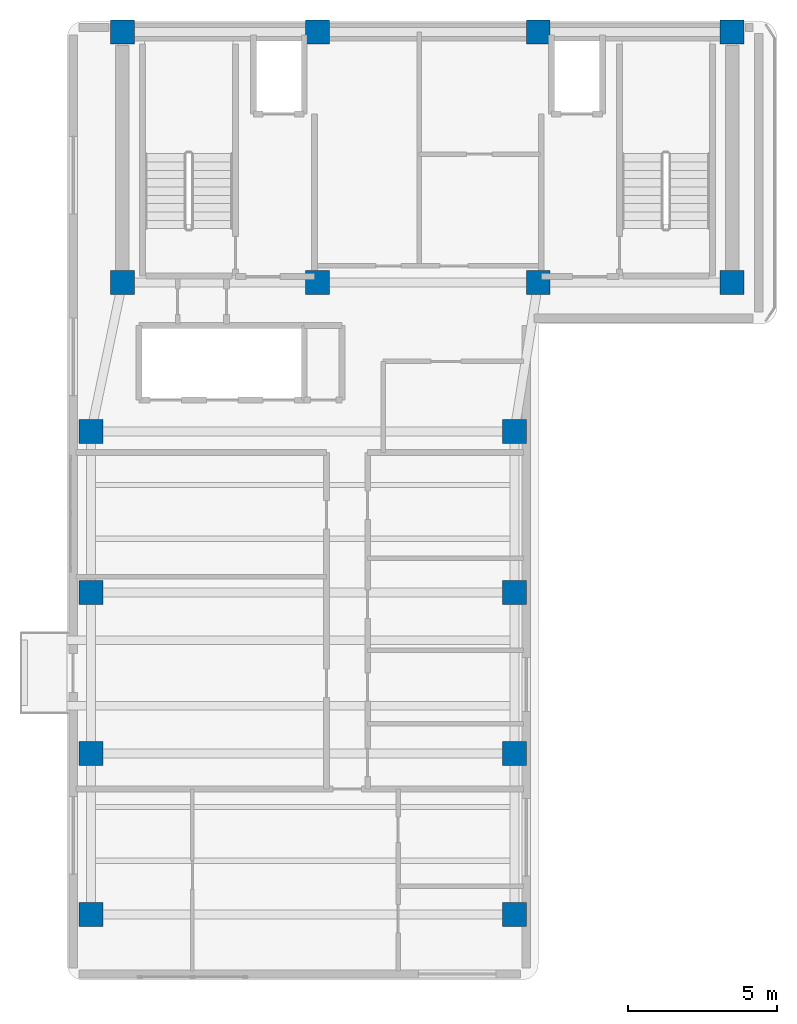
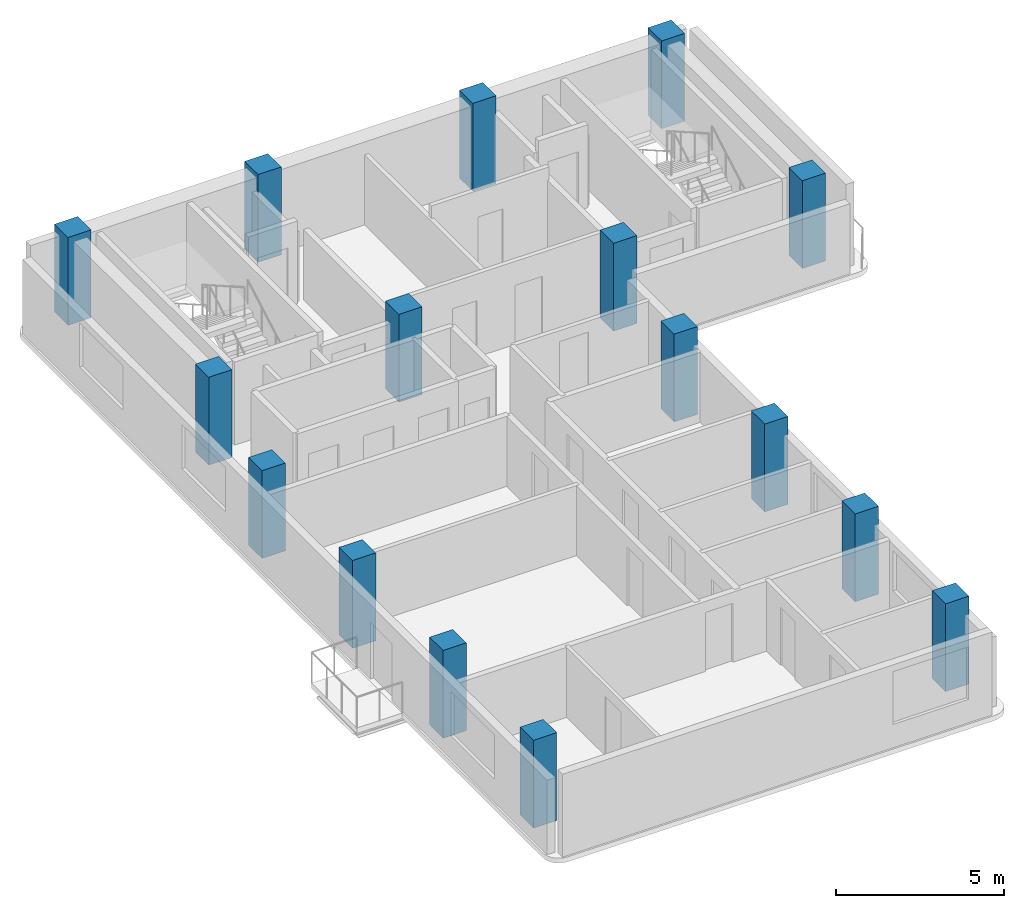
# One storey, part 1 of 9: 16 columns.
"""IFC4 building model written with IfcOpenShell, lengths in metres."""

from ifc_helpers import new_model, si_unit, direction, frame, origin, origin_2d, place, context, subcontext, project, spatial, rectangle, extrude, material, material_profile, profile_set, type_object, element, save


model = new_model("IFC4")

# Units and contexts
model_context = context("Model", 3, precision=1e-05, world=origin(), true_north=direction((0.0, 1.0)))
body_context = subcontext(model_context, "Body", "Model", "MODEL_VIEW")
ifc_project = project(units=[si_unit("LENGTHUNIT", "METRE"), si_unit("AREAUNIT", "SQUARE_METRE"), si_unit("VOLUMEUNIT", "CUBIC_METRE"), si_unit("PLANEANGLEUNIT", "RADIAN"), si_unit("MASSUNIT", "GRAM", prefix="KILO")], contexts=[model_context])

# Site, building, storey
site_placement = place(None, origin())
site = spatial("IfcSite", under=ifc_project, at=site_placement, CompositionType="ELEMENT")
building_placement = place(site_placement, origin())
building = spatial("IfcBuilding", under=site, at=building_placement, Name="Kuzgunbayir Cultural Tower", CompositionType="ELEMENT")
storey_placement = place(building_placement, frame((0.0, 0.0, 240.800048828125)))
storey = spatial("IfcBuildingStorey", under=building, at=storey_placement, Name="L71", CompositionType="ELEMENT", Elevation=240.800048828125)

# Columns
ifc_material = material(Name="Concrete C50/60", Category="concrete")
ifc_material_profile_1 = material_profile(ifc_material, rectangle(XDim=0.800048828125, YDim=0.800048828125, at=origin_2d()), Name="RC 800x800")
ifc_profile_set_1 = profile_set([ifc_material_profile_1], Name="Concrete C50/60")
column_type_1 = type_object("IfcColumnType", Name="COL-CORE-800", PredefinedType="COLUMN", material=ifc_profile_set_1)
for number, where, z_axis, x_axis, name in (
    (1, (6.449951171875, 33.800048828125, 0.0), (0.0, 0.0, 1.0), (1.0, 0.0, 0.0), "L71 T1 Core Boundary Column CC1-1"),
    (2, (13.0, 33.800048828125, 0.0), (0.0, 0.0, 1.0), (1.0, 0.0, 0.0), "L71 T1 Core Boundary Column CC1-2"),
    (3, (20.39990234375, 33.800048828125, 0.0), (0.0, 0.0, 1.0), (1.0, 0.0, 0.0), "L71 T1 Core Boundary Column CC1-3"),
    (4, (26.89990234375, 33.800048828125, 0.0), (0.0, 0.0, 1.0), (1.0, 0.0, 0.0), "L71 T1 Core Boundary Column CC1-4"),
    (5, (6.449951171875, 42.199951171875, 0.0), (0.0, 0.0, 1.0), (1.0, 0.0, 0.0), "L71 T1 Core Boundary Column CC1-5"),
    (6, (13.0, 42.199951171875, 0.0), (0.0, 0.0, 1.0), (1.0, 0.0, 0.0), "L71 T1 Core Boundary Column CC1-6"),
    (7, (20.39990234375, 42.199951171875, 0.0), (0.0, 0.0, 1.0), (1.0, 0.0, 0.0), "L71 T1 Core Boundary Column CC1-7"),
    (8, (26.89990234375, 42.199951171875, 0.0), (0.0, 0.0, 1.0), (1.0, 0.0, 0.0), "L71 T1 Core Boundary Column CC1-8"),
):
    element("IfcColumn", number, at=place(storey_placement, frame(where, z_axis=z_axis, x_axis=x_axis)), inside=storey, type_object=column_type_1, Name=name, PredefinedType="COLUMN", context=body_context, shape_type="SweptSolid", body=[
        extrude(rectangle(XDim=0.800048828125, YDim=0.800048828125, at=origin_2d()), origin(), (0.0, 0.0, 1.0), 3.199951171875),
    ])
ifc_material_profile_2 = material_profile(ifc_material, rectangle(XDim=0.800048828125, YDim=0.800048828125, at=origin_2d()), Name="RC 800x800")
ifc_profile_set_2 = profile_set([ifc_material_profile_2], Name="Concrete C50/60")
column_type_2 = type_object("IfcColumnType", Name="COL-T1-800", PredefinedType="COLUMN", material=ifc_profile_set_2)
for number, where, z_axis, x_axis, name in (
    (9, (5.39990234375, 12.60009765625, 0.0), (0.0, 0.0, 1.0), (1.0, 0.0, 0.0), "L71 Tower 1 Wing A Column T1A-W-1"),
    (10, (19.60009765625, 12.60009765625, 0.0), (0.0, 0.0, 1.0), (1.0, 0.0, 0.0), "L71 Tower 1 Wing A Column T1A-E-1"),
    (11, (5.39990234375, 18.0, 0.0), (0.0, 0.0, 1.0), (1.0, 0.0, 0.0), "L71 Tower 1 Wing A Column T1A-W-2"),
    (12, (19.60009765625, 18.0, 0.0), (0.0, 0.0, 1.0), (1.0, 0.0, 0.0), "L71 Tower 1 Wing A Column T1A-E-2"),
    (13, (5.39990234375, 23.39990234375, 0.0), (0.0, 0.0, 1.0), (1.0, 0.0, 0.0), "L71 Tower 1 Wing A Column T1A-W-3"),
    (14, (19.60009765625, 23.39990234375, 0.0), (0.0, 0.0, 1.0), (1.0, 0.0, 0.0), "L71 Tower 1 Wing A Column T1A-E-3"),
    (15, (5.39990234375, 28.800048828125, 0.0), (0.0, 0.0, 1.0), (1.0, 0.0, 0.0), "L71 Tower 1 Wing A Column T1A-W-4"),
    (16, (19.60009765625, 28.800048828125, 0.0), (0.0, 0.0, 1.0), (1.0, 0.0, 0.0), "L71 Tower 1 Wing A Column T1A-E-4"),
):
    element("IfcColumn", number, at=place(storey_placement, frame(where, z_axis=z_axis, x_axis=x_axis)), inside=storey, type_object=column_type_2, Name=name, PredefinedType="COLUMN", context=body_context, shape_type="SweptSolid", body=[
        extrude(rectangle(XDim=0.800048828125, YDim=0.800048828125, at=origin_2d()), origin(), (0.0, 0.0, 1.0), 3.199951171875),
    ])

save(model, "model.ifc")
